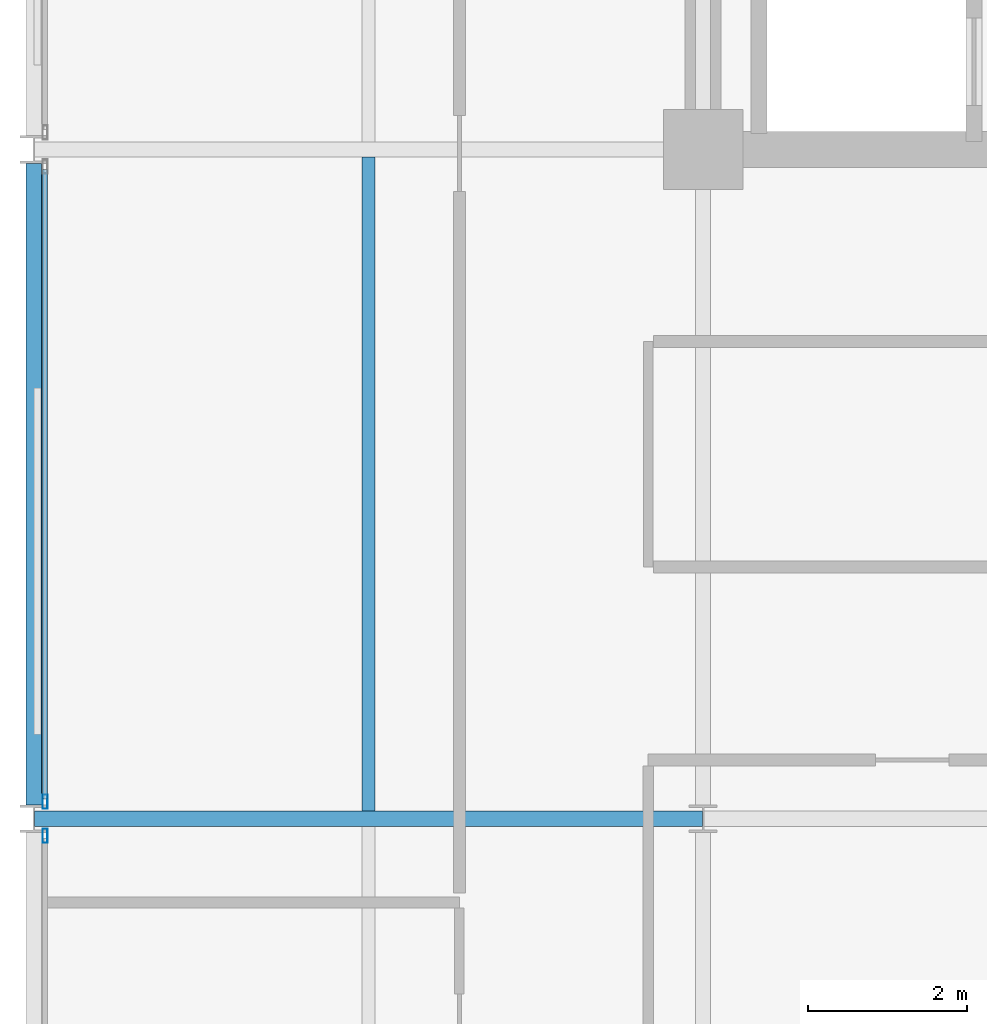
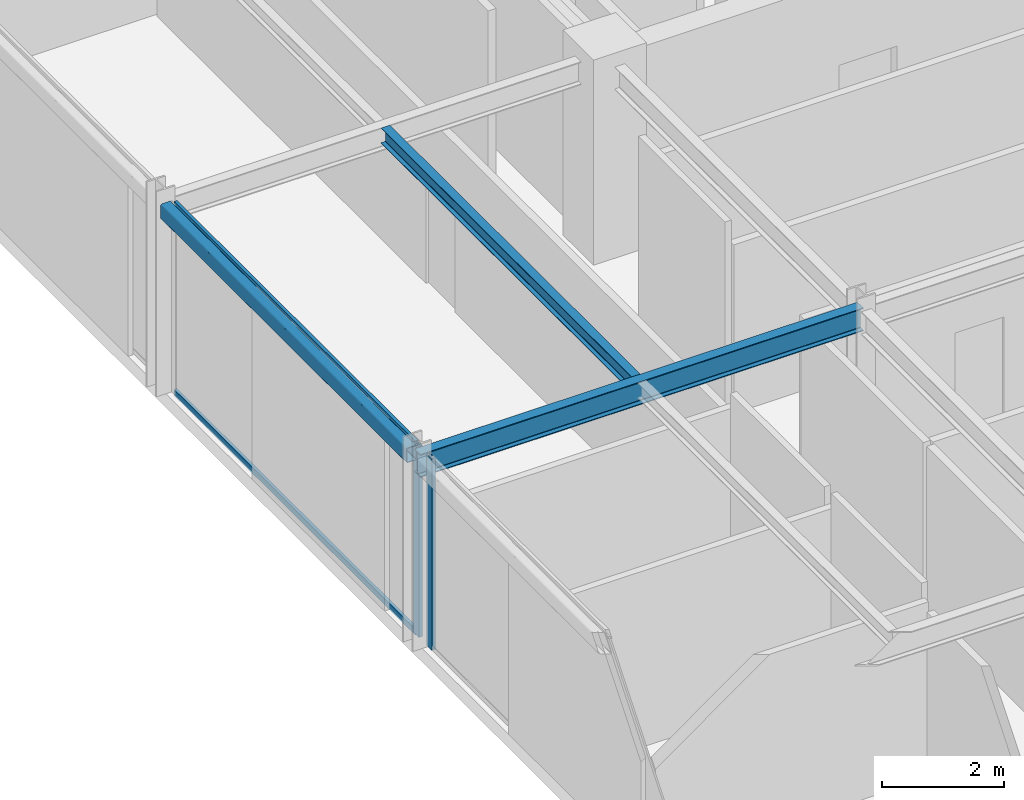
# One storey, part 8 of 25: 4 members, 3 beams, 2 elements without a shape of their own.
"""IFC4 building model written with IfcOpenShell, lengths in metres."""

from ifc_helpers import new_model, si_unit, direction, frame, origin, origin_2d, place, context, subcontext, project, spatial, hollow_rectangle, i_section, extrude, material, layer, layer_set, material_profile, profile_set, type_object, element, aggregate, save


model = new_model("IFC4")

# Units and contexts
model_context = context("Model", 3, precision=1e-05, world=origin(), true_north=direction((0.0, 1.0)))
body_context = subcontext(model_context, "Body", "Model", "MODEL_VIEW")
ifc_project = project(units=[si_unit("LENGTHUNIT", "METRE"), si_unit("AREAUNIT", "SQUARE_METRE"), si_unit("VOLUMEUNIT", "CUBIC_METRE"), si_unit("PLANEANGLEUNIT", "RADIAN"), si_unit("MASSUNIT", "GRAM", prefix="KILO")], contexts=[model_context])

# Site, building, storey
site_placement = place(None, origin())
site = spatial("IfcSite", under=ifc_project, at=site_placement, CompositionType="ELEMENT")
building_placement = place(site_placement, origin())
building = spatial("IfcBuilding", under=site, at=building_placement, Name="Nerrivon Quay Data Exchange", CompositionType="ELEMENT")
storey_placement = place(building_placement, frame((0.0, 0.0, 237.0)))
storey = spatial("IfcBuildingStorey", under=building, at=storey_placement, Name="L56", CompositionType="ELEMENT", Elevation=237.0)

# Beams
ifc_material_1 = material(Name="Steel Grade 350", Category="steel")
ifc_material_profile_1 = material_profile(ifc_material_1, i_section(OverallWidth=0.19091796875, OverallDepth=0.4599609375, WebThickness=0.010009765625, FlangeThickness=0.01611328125, FilletRadius=0.011474609375, at=origin_2d()), Name="460UB82.1")
ifc_profile_set_1 = profile_set([ifc_material_profile_1], Name="Steel Grade 350")
beam_type_1 = type_object("IfcBeamType", Name="BM-G5-460UB82", PredefinedType="BEAM", material=ifc_profile_set_1)
beam_1_placement = place(storey_placement, frame((0.010009765625, 16.800048828125, 3.594970703125), z_axis=(1.0, 0.0, 0.0), x_axis=(0.0, 1.0, 0.0)))
element("IfcBeam", 1, at=beam_1_placement, inside=storey, type_object=beam_type_1, Name="L56 EW Girder Y=16.8 (0.0..8.4)", PredefinedType="BEAM", context=body_context, shape_type="SweptSolid", body=[
    extrude(i_section(OverallWidth=0.19091796875, OverallDepth=0.4599609375, WebThickness=0.010009765625, FlangeThickness=0.01611328125, FilletRadius=0.011474609375, at=origin_2d()), origin(), (0.0, 0.0, 1.0), 8.3798828125),
])
ifc_material_profile_2 = material_profile(ifc_material_1, i_section(OverallWidth=0.166015625, OverallDepth=0.306884765625, WebThickness=0.006591796875, FlangeThickness=0.01171875, FilletRadius=0.011474609375, at=origin_2d()), Name="310UB46.2")
ifc_profile_set_2 = profile_set([ifc_material_profile_2], Name="Steel Grade 350")
beam_type_2 = type_object("IfcBeamType", Name="BM-J5-310UB46", PredefinedType="JOIST", material=ifc_profile_set_2)
beam_2_placement = place(storey_placement, frame((4.199951171875, 16.8955078125, 3.67138671875), z_axis=(0.0, 1.0, 0.0), x_axis=(-1.0, 0.0, 0.0)))
element("IfcBeam", 2, at=beam_2_placement, inside=storey, type_object=beam_type_2, Name="L56 Secondary Joist X=4.2 (16.8..25.2)", PredefinedType="JOIST", context=body_context, shape_type="SweptSolid", body=[
    extrude(i_section(OverallWidth=0.166015625, OverallDepth=0.306884765625, WebThickness=0.006591796875, FlangeThickness=0.01171875, FilletRadius=0.011474609375, at=origin_2d()), origin(), (0.0, 0.0, 1.0), 8.208984375),
])
ifc_material_2 = material(Name="Steel Grade C350L0 (350 MPa)", Category="steel")
ifc_material_profile_3 = material_profile(ifc_material_2, hollow_rectangle(XDim=0.199951171875, YDim=0.300048828125, WallThickness=0.012451171875, InnerFilletRadius=0.018798828125, OuterFilletRadius=0.03125, at=origin_2d()), Name="300x200x12.5RHS")
ifc_profile_set_3 = profile_set([ifc_material_profile_3], Name="Steel Grade C350L0 (350 MPa)")
beam_type_3 = type_object("IfcBeamType", Name="BM-SP3-300x200RHS", PredefinedType="SPANDREL", material=ifc_profile_set_3)
beam_3_placement = place(storey_placement, frame((0.0, 16.97509765625, 3.675048828125), z_axis=(0.0, 1.0, 0.0), x_axis=(-1.0, 0.0, 0.0)))
element("IfcBeam", 3, at=beam_3_placement, inside=storey, type_object=beam_type_3, Name="L56 NS Girder X=0.0 (16.8..25.2)", PredefinedType="SPANDREL", context=body_context, shape_type="SweptSolid", body=[
    extrude(hollow_rectangle(XDim=0.199951171875, YDim=0.300048828125, WallThickness=0.012451171875, InnerFilletRadius=0.018798828125, OuterFilletRadius=0.03125, at=origin_2d()), origin(), (0.0, 0.0, 1.0), 8.0498046875),
])

# Curtain wall, member
ifc_material_3 = material(Name="Anodised aluminium 6063-T6", Category="aluminium")
ifc_layer = layer(ifc_material_3, 0.195068359375)
ifc_layer_set = layer_set([ifc_layer], Name="Anodised aluminium 6063-T6")
curtain_wall_type = type_object("IfcCurtainWallType", Name="CW-SYS-06", PredefinedType="NOTDEFINED", material=ifc_layer_set)
curtain_wall_1_placement = place(storey_placement, origin())
curtain_wall_1 = element("IfcCurtainWall", 4, at=curtain_wall_1_placement, inside=storey, type_object=curtain_wall_type, Name="L56 Unitised Curtain Wall 12", PredefinedType="NOTDEFINED")
ifc_material_profile_4 = material_profile(ifc_material_3, hollow_rectangle(XDim=0.06494140625, YDim=0.179931640625, WallThickness=0.00341796875, at=origin_2d()), Name="ALU-MULL-180x65")
ifc_profile_set_4 = profile_set([ifc_material_profile_4], Name="Anodised aluminium 6063-T6")
member_type_1 = type_object("IfcMemberType", Name="CWM-180x65", PredefinedType="MULLION", material=ifc_profile_set_4)
member_1_placement = place(storey_placement, frame((0.139892578125, 16.58740234375, 0.0), z_axis=(0.0, 0.0, 1.0), x_axis=(-1.0, 0.0, 0.0)))
member_1 = element("IfcMember", 5, at=member_1_placement, type_object=member_type_1, Name="CW06 mullion 2", PredefinedType="MULLION", context=body_context, shape_type="SweptSolid", body=[
    extrude(hollow_rectangle(XDim=0.06494140625, YDim=0.179931640625, WallThickness=0.00341796875, at=origin_2d()), origin(), (0.0, 0.0, 1.0), 3.824951171875),
])
aggregate(curtain_wall_1, [member_1])

# Curtain wall, members
curtain_wall_2_placement = place(storey_placement, origin())
curtain_wall_2 = element("IfcCurtainWall", 6, at=curtain_wall_2_placement, inside=storey, type_object=curtain_wall_type, Name="L56 Unitised Curtain Wall 13", PredefinedType="NOTDEFINED")
member_2_placement = place(storey_placement, frame((0.139892578125, 17.012451171875, 0.0), z_axis=(0.0, 0.0, 1.0), x_axis=(-1.0, 0.0, 0.0)))
member_2 = element("IfcMember", 7, at=member_2_placement, type_object=member_type_1, Name="CW06 mullion 1", PredefinedType="MULLION", context=body_context, shape_type="SweptSolid", body=[
    extrude(hollow_rectangle(XDim=0.06494140625, YDim=0.179931640625, WallThickness=0.00341796875, at=origin_2d()), origin(), (0.0, 0.0, 1.0), 3.824951171875),
])
ifc_material_profile_5 = material_profile(ifc_material_3, hollow_rectangle(XDim=0.06005859375, YDim=0.1201171875, WallThickness=0.003173828125, at=origin_2d()), Name="ALU-TRAN-120x60")
ifc_profile_set_5 = profile_set([ifc_material_profile_5], Name="Anodised aluminium 6063-T6")
member_type_2 = type_object("IfcMemberType", Name="CWT-120x60", PredefinedType="USERDEFINED", material=ifc_profile_set_5)
member_3_placement = place(storey_placement, frame((0.139892578125, 17.050048828125, 0.032470703125), z_axis=(0.0, 1.0, 0.0), x_axis=(-1.0, 0.0, 0.0)))
member_3 = element("IfcMember", 8, at=member_3_placement, type_object=member_type_2, Name="CW06 transom 1.1", ObjectType="TRANSOM", PredefinedType="USERDEFINED", context=body_context, shape_type="SweptSolid", body=[
    extrude(hollow_rectangle(XDim=0.06005859375, YDim=0.1201171875, WallThickness=0.003173828125, at=origin_2d()), origin(), (0.0, 0.0, 1.0), 7.89990234375),
])
member_4_placement = place(storey_placement, frame((0.139892578125, 17.050048828125, 3.79248046875), z_axis=(0.0, 1.0, 0.0), x_axis=(-1.0, 0.0, 0.0)))
member_4 = element("IfcMember", 9, at=member_4_placement, type_object=member_type_2, Name="CW06 transom 1.2", ObjectType="TRANSOM", PredefinedType="USERDEFINED", context=body_context, shape_type="SweptSolid", body=[
    extrude(hollow_rectangle(XDim=0.06005859375, YDim=0.1201171875, WallThickness=0.003173828125, at=origin_2d()), origin(), (0.0, 0.0, 1.0), 7.89990234375),
])
aggregate(curtain_wall_2, [member_2, member_3, member_4])

save(model, "model.ifc")
